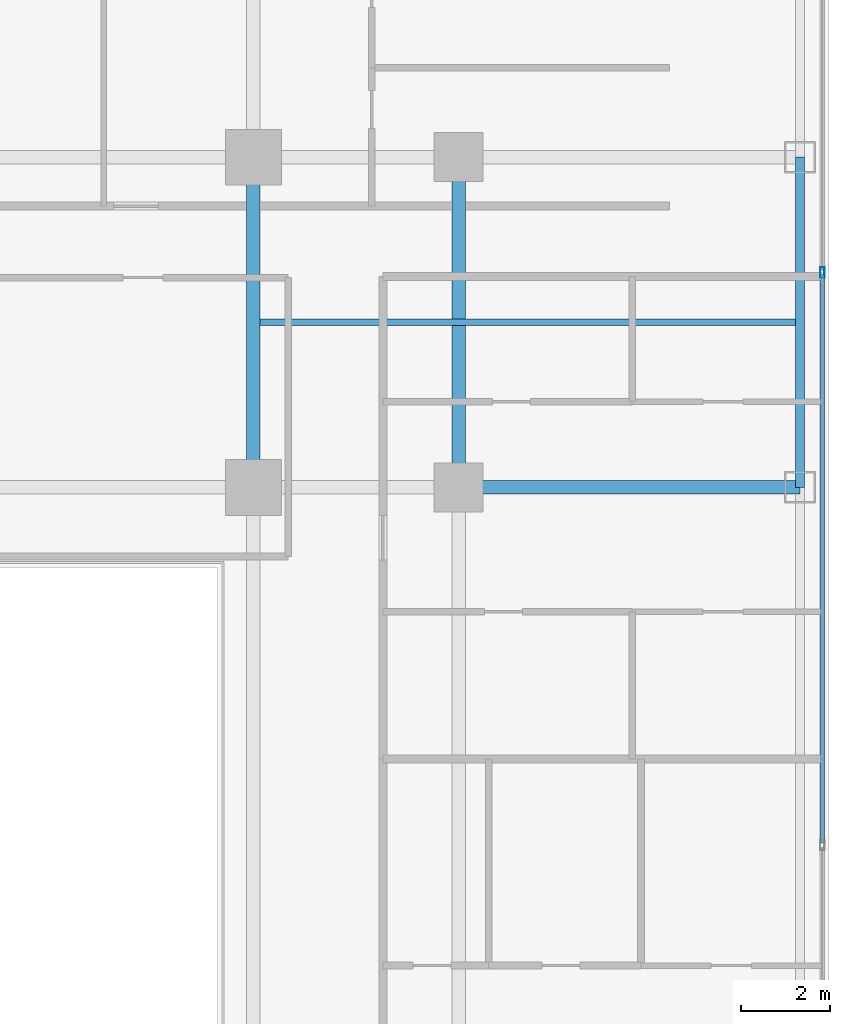
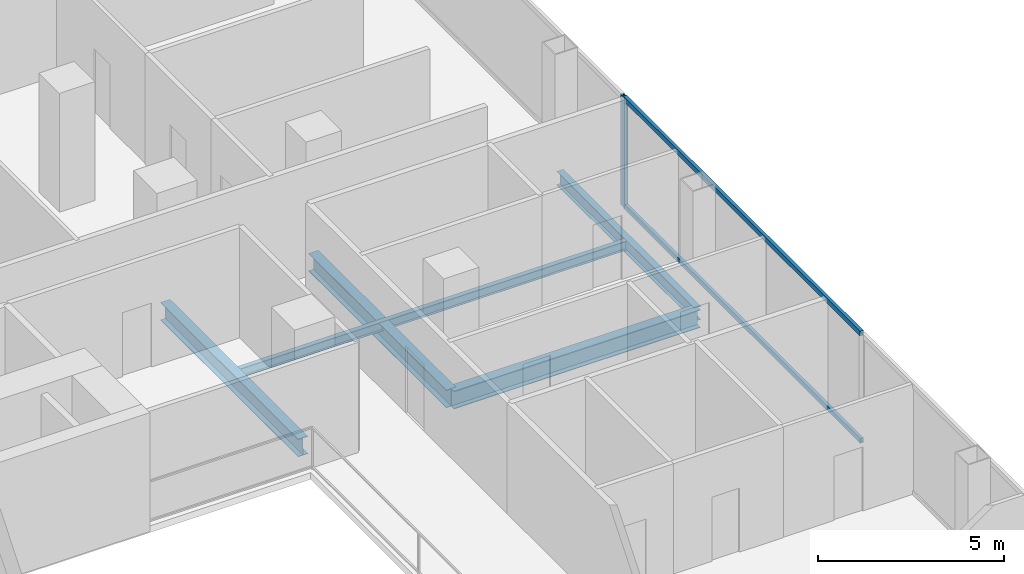
# One storey, part 11 of 27: 5 beams, 3 members, 1 element without a shape of its own.
"""IFC4 building model written with IfcOpenShell, lengths in metres."""

from ifc_helpers import new_model, si_unit, direction, frame, origin, origin_2d, place, context, subcontext, project, spatial, hollow_rectangle, i_section, extrude, material, layer, layer_set, material_profile, profile_set, type_object, element, aggregate, save


model = new_model("IFC4")

# Units and contexts
model_context = context("Model", 3, precision=1e-05, world=origin(), true_north=direction((0.0, 1.0)))
body_context = subcontext(model_context, "Body", "Model", "MODEL_VIEW")
ifc_project = project(units=[si_unit("LENGTHUNIT", "METRE"), si_unit("AREAUNIT", "SQUARE_METRE"), si_unit("VOLUMEUNIT", "CUBIC_METRE"), si_unit("PLANEANGLEUNIT", "RADIAN"), si_unit("MASSUNIT", "GRAM", prefix="KILO")], contexts=[model_context])

# Site, building, storey
site_placement = place(None, origin())
site = spatial("IfcSite", under=ifc_project, at=site_placement, CompositionType="ELEMENT")
building_placement = place(site_placement, origin())
building = spatial("IfcBuilding", under=site, at=building_placement, Name="Khorvyn Point Tower", CompositionType="ELEMENT")
storey_placement = place(building_placement, frame((0.0, 0.0, 132.89990234375)))
storey = spatial("IfcBuildingStorey", under=building, at=storey_placement, Name="L33", CompositionType="ELEMENT", Elevation=132.89990234375)

# Curtain wall, members
ifc_material_1 = material(Name="Anodised aluminium 6063-T6 and laminated Low-E glass", Category="aluminium")
ifc_layer = layer(ifc_material_1, 0.18994140625)
ifc_layer_set = layer_set([ifc_layer], Name="Stick-Built Acoustic Curtain Wall CW-SYS-03")
curtain_wall_type = type_object("IfcCurtainWallType", Name="Stick-Built Acoustic Curtain Wall CW-SYS-03", PredefinedType="NOTDEFINED", material=ifc_layer_set)
curtain_wall_placement = place(storey_placement, origin())
curtain_wall = element("IfcCurtainWall", 1, at=curtain_wall_placement, inside=storey, type_object=curtain_wall_type, Name="Curtain Wall", PredefinedType="NOTDEFINED")
ifc_material_2 = material(Name="Anodised aluminium 6063-T6", Category="aluminium")
ifc_material_profile_1 = material_profile(ifc_material_2, hollow_rectangle(XDim=0.10009765625, YDim=0.239990234375, WallThickness=0.0048828125, at=origin_2d()))
ifc_profile_set_1 = profile_set([ifc_material_profile_1], Name="Anodised aluminium 6063-T6 ALU-MUL-100x240")
member_type_1 = type_object("IfcMemberType", Name="Anodised Aluminium 6063-T6 Mullion ALU-MUL-100x240", PredefinedType="MULLION", material=ifc_profile_set_1)
member_1_placement = place(storey_placement, frame((27.550048828125, 12.216552734375, 0.0), z_axis=(0.0, 0.0, 1.0), x_axis=(1.0, 0.0, 0.0)))
member_1 = element("IfcMember", 2, at=member_1_placement, type_object=member_type_1, Name="Transom", PredefinedType="MULLION", context=body_context, shape_type="SweptSolid", body=[
    extrude(hollow_rectangle(XDim=0.10009765625, YDim=0.239990234375, WallThickness=0.0048828125, at=origin_2d()), origin(), (0.0, 0.0, 1.0), 3.6201171875),
])
ifc_material_profile_2 = material_profile(ifc_material_2, hollow_rectangle(XDim=0.10009765625, YDim=0.159912109375, WallThickness=0.00439453125, at=origin_2d()))
ifc_profile_set_2 = profile_set([ifc_material_profile_2], Name="Anodised aluminium 6063-T6 ALU-TRN-100x160")
member_type_2 = type_object("IfcMemberType", Name="Anodised Aluminium 6063-T6 Transom ALU-TRN-100x160", PredefinedType="USERDEFINED", material=ifc_profile_set_2)
member_2_placement = place(storey_placement, frame((27.550048828125, 12.166748046875, 0.050048828125), z_axis=(0.0, -1.0, 0.0), x_axis=(1.0, 0.0, 0.0)))
member_2 = element("IfcMember", 3, at=member_2_placement, type_object=member_type_2, Name="Transom", ObjectType="TRANSOM", PredefinedType="USERDEFINED", context=body_context, shape_type="SweptSolid", body=[
    extrude(hollow_rectangle(XDim=0.10009765625, YDim=0.159912109375, WallThickness=0.00439453125, at=origin_2d()), origin(), (0.0, 0.0, 1.0), 12.7333984375),
])
member_3_placement = place(storey_placement, frame((27.550048828125, 12.166748046875, 3.570068359375), z_axis=(0.0, -1.0, 0.0), x_axis=(1.0, 0.0, 0.0)))
member_3 = element("IfcMember", 4, at=member_3_placement, type_object=member_type_2, Name="Transom", ObjectType="TRANSOM", PredefinedType="USERDEFINED", context=body_context, shape_type="SweptSolid", body=[
    extrude(hollow_rectangle(XDim=0.10009765625, YDim=0.159912109375, WallThickness=0.00439453125, at=origin_2d()), origin(), (0.0, 0.0, 1.0), 12.7333984375),
])
aggregate(curtain_wall, [member_1, member_2, member_3])

# Beams
ifc_material_3 = material(Name="Steel S355", Category="steel")
ifc_material_profile_3 = material_profile(ifc_material_3, i_section(OverallWidth=0.300048828125, OverallDepth=0.587890625, WebThickness=0.011962890625, FlangeThickness=0.02001953125, at=origin_2d()))
ifc_profile_set_3 = profile_set([ifc_material_profile_3], Name="Steel S355 H588x300x12x20")
beam_type_1 = type_object("IfcBeamType", Name="Steel S355 Beam H588x300x12x20", PredefinedType="BEAM", material=ifc_profile_set_3)
beam_1_placement = place(storey_placement, frame((19.39990234375, 7.39990234375, -0.513916015625), z_axis=(1.0, 0.0, 0.0), x_axis=(0.0, 1.0, 0.0)))
element("IfcBeam", 5, at=beam_1_placement, inside=storey, type_object=beam_type_1, Name="Beam", PredefinedType="BEAM", context=body_context, shape_type="SweptSolid", body=[
    extrude(i_section(OverallWidth=0.300048828125, OverallDepth=0.587890625, WebThickness=0.011962890625, FlangeThickness=0.02001953125, at=origin_2d()), origin(), (0.0, 0.0, 1.0), 7.650146484375),
])
for number, where, z_axis, x_axis, name in (
    (6, (14.800048828125, 7.39990234375, -0.513916015625), (0.0, 1.0, 0.0), (-1.0, 0.0, 0.0), "Beam"),
    (7, (19.39990234375, 7.39990234375, -0.513916015625), (0.0, 1.0, 0.0), (-1.0, 0.0, 0.0), "Beam"),
):
    element("IfcBeam", number, at=place(storey_placement, frame(where, z_axis=z_axis, x_axis=x_axis)), inside=storey, type_object=beam_type_1, Name=name, PredefinedType="BEAM", context=body_context, shape_type="SweptSolid", body=[
        extrude(i_section(OverallWidth=0.300048828125, OverallDepth=0.587890625, WebThickness=0.011962890625, FlangeThickness=0.02001953125, at=origin_2d()), origin(), (0.0, 0.0, 1.0), 7.400146484375),
    ])
ifc_material_profile_4 = material_profile(ifc_material_3, i_section(OverallWidth=0.14990234375, OverallDepth=0.300048828125, WebThickness=0.006591796875, FlangeThickness=0.009033203125, at=origin_2d()))
ifc_profile_set_4 = profile_set([ifc_material_profile_4], Name="Steel S355 H300x150x6.5x9")
beam_type_2 = type_object("IfcBeamType", Name="Steel S355 Joist H300x150x6.5x9", PredefinedType="JOIST", material=ifc_profile_set_4)
beam_2_placement = place(storey_placement, frame((14.949951171875, 11.10009765625, -0.369873046875), z_axis=(1.0, 0.0, 0.0), x_axis=(0.0, 1.0, 0.0)))
element("IfcBeam", 8, at=beam_2_placement, inside=storey, type_object=beam_type_2, Name="Beam", PredefinedType="JOIST", context=body_context, shape_type="SweptSolid", body=[
    extrude(i_section(OverallWidth=0.14990234375, OverallDepth=0.300048828125, WebThickness=0.006591796875, FlangeThickness=0.009033203125, at=origin_2d()), origin(), (0.0, 0.0, 1.0), 12.0),
])
ifc_material_profile_5 = material_profile(ifc_material_3, i_section(OverallWidth=0.199951171875, OverallDepth=0.449951171875, WebThickness=0.009033203125, FlangeThickness=0.013916015625, at=origin_2d()))
ifc_profile_set_5 = profile_set([ifc_material_profile_5], Name="Steel S355 H450x200x9x14")
beam_type_3 = type_object("IfcBeamType", Name="Steel S355 Spandrel H450x200x9x14", PredefinedType="SPANDREL", material=ifc_profile_set_5)
beam_3_placement = place(storey_placement, frame((27.050048828125, 7.39990234375, -0.44482421875), z_axis=(0.0, 1.0, 0.0), x_axis=(-1.0, 0.0, 0.0)))
element("IfcBeam", 9, at=beam_3_placement, inside=storey, type_object=beam_type_3, Name="Beam", PredefinedType="SPANDREL", context=body_context, shape_type="SweptSolid", body=[
    extrude(i_section(OverallWidth=0.199951171875, OverallDepth=0.449951171875, WebThickness=0.009033203125, FlangeThickness=0.013916015625, at=origin_2d()), origin(), (0.0, 0.0, 1.0), 7.400146484375),
])

save(model, "model.ifc")
